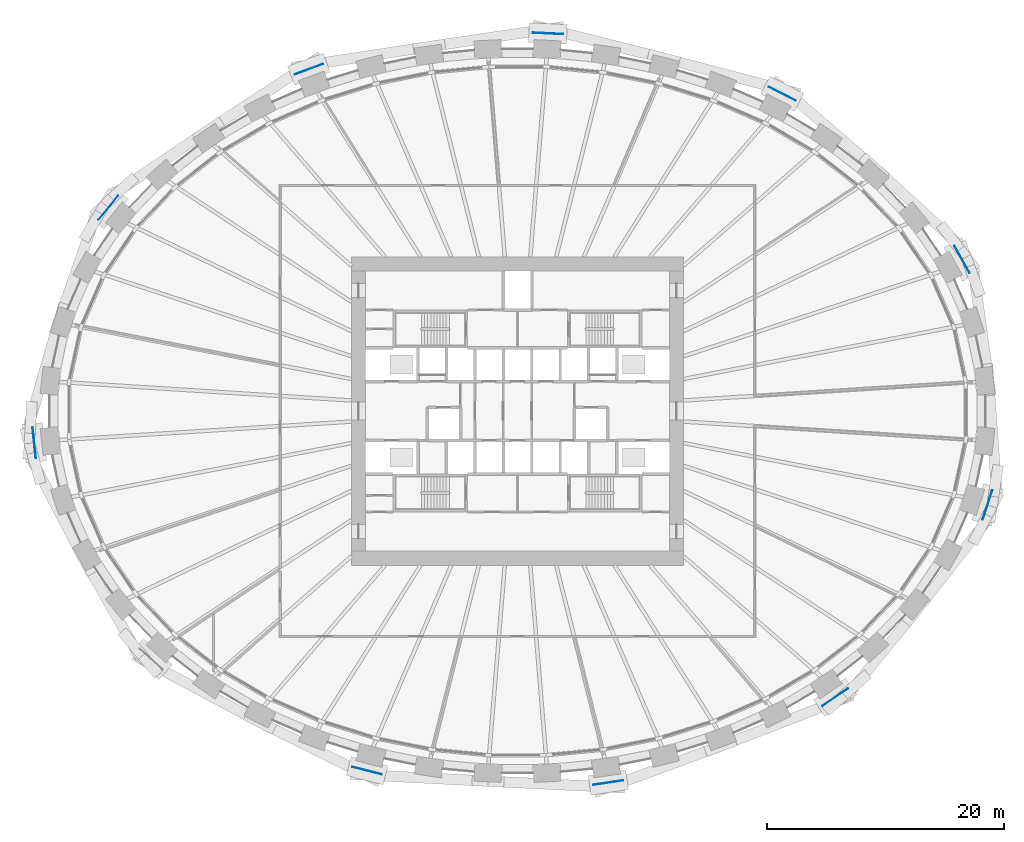
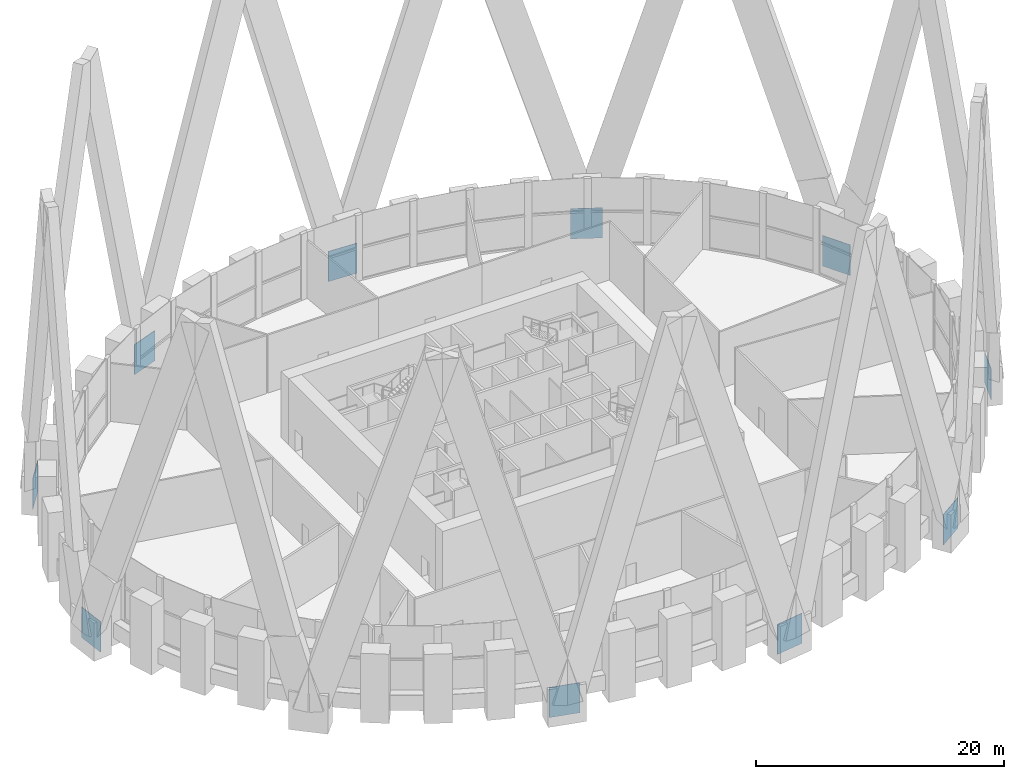
# One storey, part 13 of 17: 10 discrete accessories.
"""IFC4 building model written with IfcOpenShell, lengths in metres."""

from ifc_helpers import new_model, si_unit, direction, frame, origin, origin_2d, place, context, subcontext, project, spatial, rectangle, extrude, source, transform, mapped, material, type_object, element, save


model = new_model("IFC4")

# Units and contexts
model_context = context("Model", 3, precision=1e-05, world=origin(), true_north=direction((0.0, 1.0)))
body_context = subcontext(model_context, "Body", "Model", "MODEL_VIEW")
ifc_project = project(units=[si_unit("LENGTHUNIT", "METRE"), si_unit("AREAUNIT", "SQUARE_METRE"), si_unit("VOLUMEUNIT", "CUBIC_METRE"), si_unit("PLANEANGLEUNIT", "RADIAN"), si_unit("MASSUNIT", "GRAM", prefix="KILO")], contexts=[model_context])

# Site, building, storey
site_placement = place(None, origin())
site = spatial("IfcSite", under=ifc_project, at=site_placement, CompositionType="ELEMENT")
building_placement = place(site_placement, origin())
building = spatial("IfcBuilding", under=site, at=building_placement, Name="Embergate Tower", CompositionType="ELEMENT")
storey_placement = place(building_placement, frame((0.0, 0.0, 125.0)))
storey = spatial("IfcBuildingStorey", under=building, at=storey_placement, Name="L27", CompositionType="ELEMENT", Elevation=125.0)

# Discrete accessories
ifc_material = material(Name="Steel Q355D plate", Category="steel")
discrete_accessory_type = type_object("IfcDiscreteAccessoryType", Name="Lattice node plate", PredefinedType="USERDEFINED", material=ifc_material)
shared_shape_1 = source(origin(), body_context, "Body", "SweptSolid", [
    extrude(rectangle(XDim=2.56005859375, YDim=0.050048828125, at=origin_2d()), origin(), (0.0, 0.0, 1.0), 2.9599609375),
])
for number, where, z_axis, x_axis, name in (
    (1, (22.30810546875, 26.741943359375, -1.47998046875), (0.0, 0.0, 1.0), (-0.891513080478, 0.452994952881, 0.0), "Node plate"),
    (2, (2.55810546875, 31.819091796875, -1.47998046875), (0.0, 0.0, 1.0), (-0.998807841912, 0.048814904854, 0.0), "Node plate"),
    (3, (-17.5869140625, 28.806884765625, -1.47998046875), (0.0, 0.0, 1.0), (-0.93736713373, -0.348343015724, 0.0), "Node plate"),
    (4, (-12.676025390625, -30.31005859375, -1.47998046875), (0.0, 0.0, 1.0), (0.969144926951, -0.246491603437, 0.0), "Node plate"),
    (5, (7.652099609375, -31.318115234375, -1.47998046875), (0.0, 0.0, 1.0), (0.989147039346, 0.146929011949, 0.0), "Node plate"),
):
    element("IfcDiscreteAccessory", number, at=place(storey_placement, frame(where, z_axis=z_axis, x_axis=x_axis)), inside=storey, type_object=discrete_accessory_type, Name=name, ObjectType="BRACKET", PredefinedType="USERDEFINED", context=body_context, shape_type="MappedRepresentation", body=[
        mapped(shared_shape_1, transform((0.0, 0.0, 0.0))),
    ])
shared_shape_2 = source(origin(), body_context, "Body", "SweptSolid", [
    extrude(rectangle(XDim=2.60009765625, YDim=0.050048828125, at=origin_2d()), origin(), (0.0, 0.0, 1.0), 3.0),
])
for number, where, z_axis, x_axis, name in (
    (6, (37.468994140625, 12.779052734375, -1.5), (0.0, 0.0, 1.0), (-0.486838556403, 0.873491969053, 0.0), "Node plate"),
    (7, (-34.48193359375, 17.12890625, -1.5), (0.0, 0.0, 1.0), (-0.630838328377, -0.775914301615, 0.0), "Node plate"),
    (8, (-40.72900390625, -2.679931640625, -1.5), (0.0, 0.0, 1.0), (0.106749983816, -0.99428589498, 0.0), "Node plate"),
    (9, (26.76806640625, -24.118896484375, -1.5), (0.0, 0.0, 1.0), (0.828226643109, 0.560393279442, 0.0), "Node plate"),
    (10, (39.60498046875, -7.908935546875, -1.5), (0.0, 0.0, 1.0), (0.309946394413, 0.950754033697, 0.0), "Node plate"),
):
    element("IfcDiscreteAccessory", number, at=place(storey_placement, frame(where, z_axis=z_axis, x_axis=x_axis)), inside=storey, type_object=discrete_accessory_type, Name=name, ObjectType="BRACKET", PredefinedType="USERDEFINED", context=body_context, shape_type="MappedRepresentation", body=[
        mapped(shared_shape_2, transform((0.0, 0.0, 0.0))),
    ])

save(model, "model.ifc")
